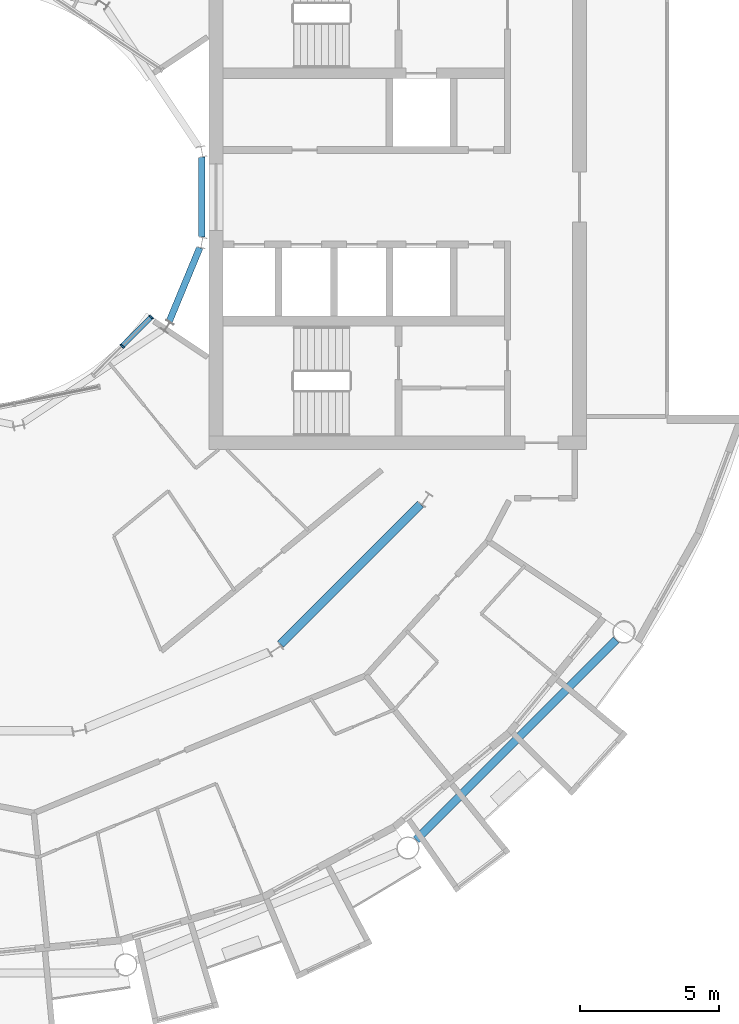
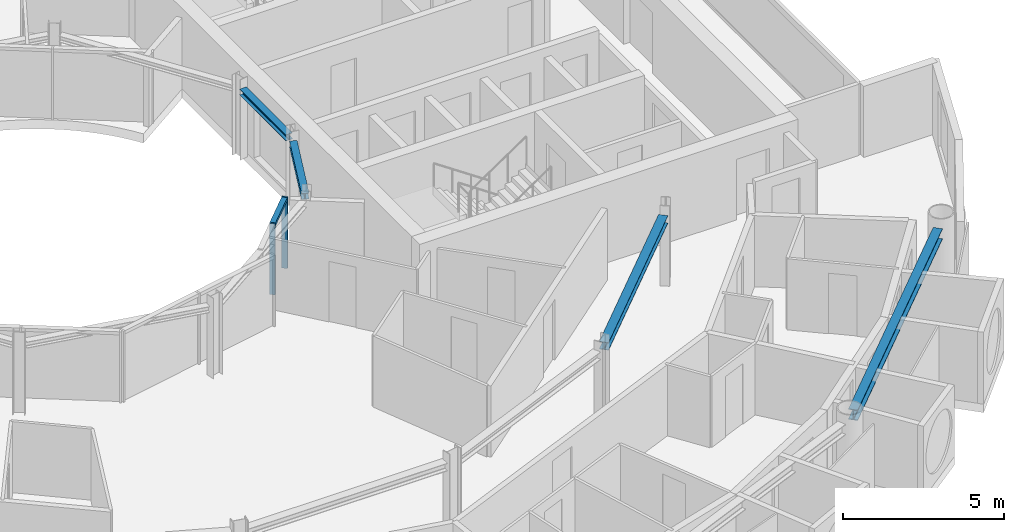
# One storey, part 7 of 27: 4 beams, 3 members, 1 element without a shape of its own.
"""IFC4 building model written with IfcOpenShell, lengths in metres."""

from ifc_helpers import new_model, si_unit, direction, frame, origin, origin_2d, place, context, subcontext, project, spatial, rectangle, i_section, extrude, material, layer, layer_set, material_profile, profile_set, type_object, element, aggregate, save


model = new_model("IFC4")

# Units and contexts
model_context = context("Model", 3, precision=1e-05, world=origin(), true_north=direction((0.0, 1.0)))
body_context = subcontext(model_context, "Body", "Model", "MODEL_VIEW")
ifc_project = project(units=[si_unit("LENGTHUNIT", "METRE"), si_unit("AREAUNIT", "SQUARE_METRE"), si_unit("VOLUMEUNIT", "CUBIC_METRE"), si_unit("PLANEANGLEUNIT", "RADIAN"), si_unit("MASSUNIT", "GRAM", prefix="KILO")], contexts=[model_context])

# Site, building, storey
site_placement = place(None, origin())
site = spatial("IfcSite", under=ifc_project, at=site_placement, CompositionType="ELEMENT")
building_placement = place(site_placement, origin())
building = spatial("IfcBuilding", under=site, at=building_placement, Name="Maasbend Ring Residences", CompositionType="ELEMENT")
storey_placement = place(building_placement, frame((0.0, 0.0, 148.25)))
storey = spatial("IfcBuildingStorey", under=building, at=storey_placement, Name="L42", CompositionType="ELEMENT", Elevation=148.25)

# Curtain wall, members
ifc_material_1 = material(Name="Aluminium and clear glass", Category="aluminium")
ifc_layer = layer(ifc_material_1, 0.179931640625)
ifc_layer_set = layer_set([ifc_layer], Name="CW-W")
curtain_wall_type = type_object("IfcCurtainWallType", Name="CW-W", PredefinedType="NOTDEFINED", material=ifc_layer_set)
curtain_wall_placement = place(storey_placement, origin())
curtain_wall = element("IfcCurtainWall", 1, at=curtain_wall_placement, inside=storey, type_object=curtain_wall_type, Name="Well curtain wall S3", PredefinedType="NOTDEFINED")
ifc_material_2 = material(Name="Aluminium 6063-T6", Category="aluminium")
ifc_material_profile_1 = material_profile(ifc_material_2, rectangle(XDim=0.179931640625, YDim=0.06005859375, at=origin_2d()), Name="AL 180x60")
ifc_profile_set_1 = profile_set([ifc_material_profile_1], Name="Aluminium 6063-T6")
member_type_1 = type_object("IfcMemberType", Name="CWM-W", PredefinedType="MULLION", material=ifc_profile_set_1)
member_1_placement = place(storey_placement, frame((5.366943359375, -5.366943359375, 0.0), z_axis=(0.0, 0.0, 1.0), x_axis=(-0.707106781187, 0.707106781187, 0.0)))
member_1 = element("IfcMember", 2, at=member_1_placement, type_object=member_type_1, Name="Mullion well face", PredefinedType="MULLION", context=body_context, shape_type="SweptSolid", body=[
    extrude(rectangle(XDim=0.179931640625, YDim=0.06005859375, at=origin_2d()), origin(), (0.0, 0.0, 1.0), 2.699951171875),
])
member_2_placement = place(storey_placement, frame((6.413330078125, -4.320556640625, 0.0), z_axis=(0.0, 0.0, 1.0), x_axis=(-0.707106781187, 0.707106781187, 0.0)))
member_2 = element("IfcMember", 3, at=member_2_placement, type_object=member_type_1, Name="Mullion well face", PredefinedType="MULLION", context=body_context, shape_type="SweptSolid", body=[
    extrude(rectangle(XDim=0.179931640625, YDim=0.06005859375, at=origin_2d()), origin(), (0.0, 0.0, 1.0), 2.699951171875),
])
ifc_material_3 = material(Name="Aluminium 6063-T6", Category="aluminium")
ifc_material_profile_2 = material_profile(ifc_material_3, rectangle(XDim=0.179931640625, YDim=0.1201171875, at=origin_2d()), Name="AL 180x120")
ifc_profile_set_2 = profile_set([ifc_material_profile_2], Name="Aluminium 6063-T6")
member_type_2 = type_object("IfcMemberType", Name="CWT-W", PredefinedType="USERDEFINED", material=ifc_profile_set_2)
member_3_placement = place(storey_placement, frame((5.38818359375, -5.345703125, 2.639892578125), z_axis=(0.707106781187, 0.707106781187, 0.0), x_axis=(-0.707106781187, 0.707106781187, 0.0)))
member_3 = element("IfcMember", 4, at=member_3_placement, type_object=member_type_2, Name="Transom well face", ObjectType="TRANSOM", PredefinedType="USERDEFINED", context=body_context, shape_type="SweptSolid", body=[
    extrude(rectangle(XDim=0.179931640625, YDim=0.1201171875, at=origin_2d()), origin(), (0.0, 0.0, 1.0), 1.419677734375),
])
aggregate(curtain_wall, [member_1, member_2, member_3])

# Beams
ifc_material_4 = material(Name="Steel S355J2", Category="steel")
ifc_material_profile_3 = material_profile(ifc_material_4, i_section(OverallWidth=0.300048828125, OverallDepth=0.2900390625, WebThickness=0.008544921875, FlangeThickness=0.013916015625, FilletRadius=0.027099609375, at=origin_2d()), Name="HEA 300")
ifc_profile_set_3 = profile_set([ifc_material_profile_3], Name="Steel S355J2")
beam_type_1 = type_object("IfcBeamType", Name="Corridor ring beam HEA 300", PredefinedType="BEAM", material=ifc_profile_set_3)
beam_1_placement = place(storey_placement, frame((11.0693359375, -16.11669921875, 2.554931640625), z_axis=(0.707106781187, 0.707106781187, 0.0), x_axis=(-0.707106781187, 0.707106781187, 0.0)))
element("IfcBeam", 5, at=beam_1_placement, inside=storey, type_object=beam_type_1, Name="Corridor ring beam", PredefinedType="BEAM", context=body_context, shape_type="SweptSolid", body=[
    extrude(i_section(OverallWidth=0.300048828125, OverallDepth=0.2900390625, WebThickness=0.008544921875, FlangeThickness=0.013916015625, FilletRadius=0.027099609375, at=origin_2d()), origin(), (0.0, 0.0, 1.0), 7.137939453125),
])
ifc_material_5 = material(Name="Steel S355J2", Category="steel")
ifc_material_profile_4 = material_profile(ifc_material_5, i_section(OverallWidth=0.300048828125, OverallDepth=0.39990234375, WebThickness=0.013427734375, FlangeThickness=0.02392578125, FilletRadius=0.027099609375, at=origin_2d()), Name="HEB 400")
ifc_profile_set_4 = profile_set([ifc_material_profile_4], Name="Steel S355J2")
beam_type_2 = type_object("IfcBeamType", Name="Spandrel ring beam HEB 400", PredefinedType="SPANDREL", material=ifc_profile_set_4)
beam_2_placement = place(storey_placement, frame((15.95458984375, -23.159912109375, 2.5), z_axis=(0.707106781187, 0.707106781187, 0.0), x_axis=(-0.707106781187, 0.707106781187, 0.0)))
element("IfcBeam", 6, at=beam_2_placement, inside=storey, type_object=beam_type_2, Name="Spandrel ring beam", PredefinedType="SPANDREL", context=body_context, shape_type="SweptSolid", body=[
    extrude(i_section(OverallWidth=0.300048828125, OverallDepth=0.39990234375, WebThickness=0.013427734375, FlangeThickness=0.02392578125, FilletRadius=0.027099609375, at=origin_2d()), origin(), (0.0, 0.0, 1.0), 10.18994140625),
])
ifc_material_6 = material(Name="Steel S355J2", Category="steel")
ifc_material_profile_5 = material_profile(ifc_material_6, i_section(OverallWidth=0.239990234375, OverallDepth=0.22998046875, WebThickness=0.007568359375, FlangeThickness=0.011962890625, FilletRadius=0.02099609375, at=origin_2d()), Name="HEA 240")
ifc_profile_set_5 = profile_set([ifc_material_profile_5], Name="Steel S355J2")
beam_type_3 = type_object("IfcBeamType", Name="Well edge beam HEA 240", PredefinedType="BEAM", material=ifc_profile_set_5)
for number, where, z_axis, x_axis, name in (
    (7, (7.060302734375, -4.483154296875, 2.5849609375), (0.382748596828, 0.923852537814, 0.0), (-0.923852537814, 0.382748596828, 0.0), "Well edge beam"),
    (8, (8.238525390625, -1.43994140625, 2.5849609375), (0.0, 1.0, 0.0), (-1.0, 0.0, 0.0), "Well edge beam"),
):
    element("IfcBeam", number, at=place(storey_placement, frame(where, z_axis=z_axis, x_axis=x_axis)), inside=storey, type_object=beam_type_3, Name=name, PredefinedType="BEAM", context=body_context, shape_type="SweptSolid", body=[
        extrude(i_section(OverallWidth=0.239990234375, OverallDepth=0.22998046875, WebThickness=0.007568359375, FlangeThickness=0.011962890625, FilletRadius=0.02099609375, at=origin_2d()), origin(), (0.0, 0.0, 1.0), 2.8798828125),
    ])

save(model, "model.ifc")
